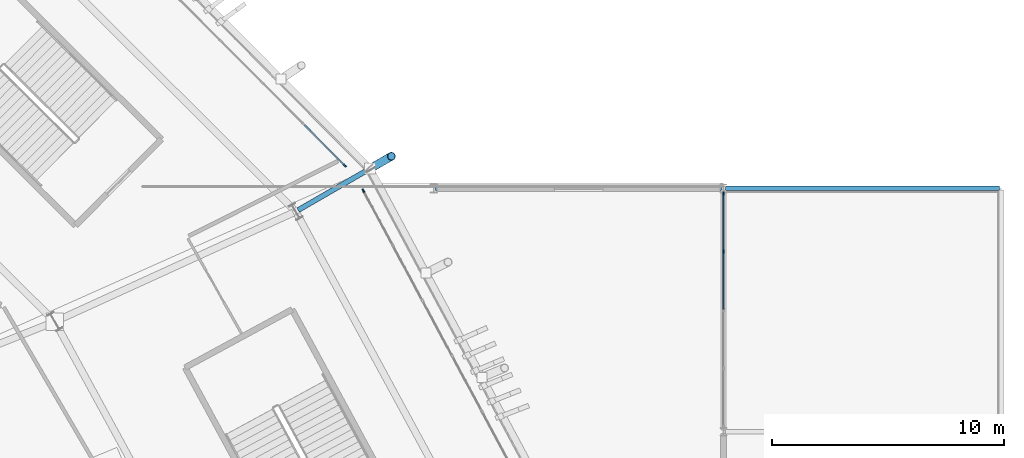
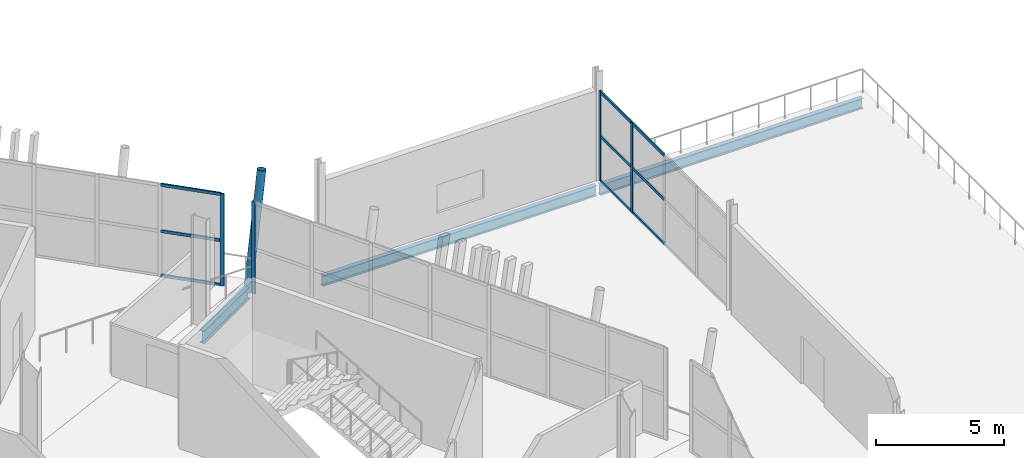
# One storey, part 63 of 168: 14 members, 3 beams, 3 elements without a shape of their own.
"""IFC4 building model written with IfcOpenShell, lengths in metres."""

from ifc_helpers import new_model, si_unit, direction, frame, origin, origin_2d, place, context, subcontext, project, spatial, rectangle, hollow_circle, i_section, extrude, material, material_profile, profile_set, type_object, element, aggregate, save


model = new_model("IFC4")

# Units and contexts
model_context = context("Model", 3, precision=1e-05, world=origin(), true_north=direction((0.0, 1.0)))
body_context = subcontext(model_context, "Body", "Model", "MODEL_VIEW")
ifc_project = project(units=[si_unit("LENGTHUNIT", "METRE"), si_unit("AREAUNIT", "SQUARE_METRE"), si_unit("VOLUMEUNIT", "CUBIC_METRE"), si_unit("PLANEANGLEUNIT", "RADIAN"), si_unit("MASSUNIT", "GRAM", prefix="KILO")], contexts=[model_context])

# Site, building, storey
site_placement = place(None, origin())
site = spatial("IfcSite", under=ifc_project, at=site_placement, CompositionType="ELEMENT")
building_placement = place(site_placement, origin())
building = spatial("IfcBuilding", under=site, at=building_placement, Name="Zlatoyarsky Gate Stadium", CompositionType="ELEMENT")
storey_placement = place(building_placement, frame((0.0, 0.0, 15.60009765625)))
storey = spatial("IfcBuildingStorey", under=building, at=storey_placement, Name="L03", CompositionType="ELEMENT", Elevation=15.60009765625)

# Curtain wall, member
ifc_material_1 = material(Name="Thermally broken anodised aluminium curtain wall", Category="aluminium")
curtain_wall_type_1 = type_object("IfcCurtainWallType", Name="UNITISED CORPORATE BOX GLAZING L03", PredefinedType="USERDEFINED", material=ifc_material_1)
curtain_wall_1_placement = place(storey_placement, origin())
curtain_wall_1 = element("IfcCurtainWall", 1, at=curtain_wall_1_placement, inside=storey, type_object=curtain_wall_type_1, Name="Curtain wall CW-L03-01", ObjectType="UNITISED GLAZING", PredefinedType="USERDEFINED")
ifc_material_2 = material(Name="Anodised aluminium 6063-T6", Category="aluminium")
ifc_material_profile_1 = material_profile(ifc_material_2, rectangle(XDim=0.06494140625, YDim=0.159912109375, at=origin_2d()), Name="ALU 65X160")
ifc_profile_set_1 = profile_set([ifc_material_profile_1], Name="Anodised aluminium 6063-T6")
member_type_1 = type_object("IfcMemberType", Name="ALUMINIUM MULLION 65X160", PredefinedType="MULLION", material=ifc_profile_set_1)
member_1_placement = place(storey_placement, frame((194.46337890625, 116.39990234375, 0.0), z_axis=(0.0, 0.0, 1.0), x_axis=(-0.880877202392, -0.473344857694, 0.0)))
member_1 = element("IfcMember", 2, at=member_1_placement, type_object=member_type_1, Name="CW-UG3 mullion 8", PredefinedType="MULLION", context=body_context, shape_type="SweptSolid", body=[
    extrude(rectangle(XDim=0.06494140625, YDim=0.159912109375, at=origin_2d()), origin(), (0.0, 0.0, 1.0), 4.3798828125),
])
aggregate(curtain_wall_1, [member_1])

curtain_wall_2_placement = place(storey_placement, origin())
curtain_wall_2 = element("IfcCurtainWall", 3, at=curtain_wall_2_placement, inside=storey, type_object=curtain_wall_type_1, Name="Curtain wall CW-L03-02", ObjectType="UNITISED GLAZING", PredefinedType="USERDEFINED")
member_2_placement = place(storey_placement, frame((193.65869140625, 117.48486328125, 0.0), z_axis=(0.0, 0.0, 1.0), x_axis=(-0.708721143054, -0.705488725202, 0.0)))
member_2 = element("IfcMember", 4, at=member_2_placement, type_object=member_type_1, Name="CW-UG3 mullion 1", PredefinedType="MULLION", context=body_context, shape_type="SweptSolid", body=[
    extrude(rectangle(XDim=0.06494140625, YDim=0.159912109375, at=origin_2d()), origin(), (0.0, 0.0, 1.0), 4.3798828125),
])

# Curtain wall, members
curtain_wall_type_2 = type_object("IfcCurtainWallType", Name="WINTER GARDEN CONSERVATORY GLAZING", PredefinedType="USERDEFINED", material=ifc_material_1)
curtain_wall_3_placement = place(storey_placement, origin())
curtain_wall_3 = element("IfcCurtainWall", 5, at=curtain_wall_3_placement, inside=storey, type_object=curtain_wall_type_2, Name="Curtain wall CW-V5_EAST-L03-187", ObjectType="UNITISED GLAZING", PredefinedType="USERDEFINED")
member_3_placement = place(storey_placement, frame((210.0, 113.779052734375, 0.0), z_axis=(0.0, 0.0, 1.0), x_axis=(-1.0, 0.0, 0.0)))
member_3 = element("IfcMember", 6, at=member_3_placement, type_object=member_type_1, Name="CW-WG1 mullion 4", PredefinedType="MULLION", context=body_context, shape_type="SweptSolid", body=[
    extrude(rectangle(XDim=0.06494140625, YDim=0.159912109375, at=origin_2d()), origin(), (0.0, 0.0, 1.0), 4.27978515625),
])
member_4_placement = place(storey_placement, frame((210.0, 116.275390625, 0.0), z_axis=(0.0, 0.0, 1.0), x_axis=(-1.0, 0.0, 0.0)))
member_4 = element("IfcMember", 7, at=member_4_placement, type_object=member_type_1, Name="CW-WG1 mullion 5", PredefinedType="MULLION", context=body_context, shape_type="SweptSolid", body=[
    extrude(rectangle(XDim=0.06494140625, YDim=0.159912109375, at=origin_2d()), origin(), (0.0, 0.0, 1.0), 4.27978515625),
])

# Member
ifc_material_profile_2 = material_profile(ifc_material_2, rectangle(XDim=0.06494140625, YDim=0.139892578125, at=origin_2d()), Name="ALU 65X140")
ifc_profile_set_2 = profile_set([ifc_material_profile_2], Name="Anodised aluminium 6063-T6")
member_type_2 = type_object("IfcMemberType", Name="ALUMINIUM TRANSOM 65X140", PredefinedType="USERDEFINED", material=ifc_profile_set_2)
member_5_placement = place(storey_placement, frame((193.6357421875, 117.5078125, 0.032470703125), z_axis=(-0.705456130135, 0.708753587967, 0.0), x_axis=(-0.708753587967, -0.705456130135, 0.0)))
member_5 = element("IfcMember", 8, at=member_5_placement, type_object=member_type_2, Name="CW-UG3 transom 1.1", ObjectType="TRANSOM", PredefinedType="USERDEFINED", context=body_context, shape_type="SweptSolid", body=[
    extrude(rectangle(XDim=0.06494140625, YDim=0.139892578125, at=origin_2d()), origin(), (0.0, 0.0, 1.0), 2.443359375),
])

member_6_placement = place(storey_placement, frame((193.6357421875, 117.5078125, 2.14990234375), z_axis=(-0.705456130135, 0.708753587967, 0.0), x_axis=(-0.708753587967, -0.705456130135, 0.0)))
member_6 = element("IfcMember", 9, at=member_6_placement, type_object=member_type_2, Name="CW-UG3 transom 1.2", ObjectType="TRANSOM", PredefinedType="USERDEFINED", context=body_context, shape_type="SweptSolid", body=[
    extrude(rectangle(XDim=0.06494140625, YDim=0.139892578125, at=origin_2d()), origin(), (0.0, 0.0, 1.0), 2.443359375),
])

member_7_placement = place(storey_placement, frame((193.6357421875, 117.5078125, 4.347412109375), z_axis=(-0.705456130135, 0.708753587967, 0.0), x_axis=(-0.708753587967, -0.705456130135, 0.0)))
member_7 = element("IfcMember", 10, at=member_7_placement, type_object=member_type_2, Name="CW-UG3 transom 1.3", ObjectType="TRANSOM", PredefinedType="USERDEFINED", context=body_context, shape_type="SweptSolid", body=[
    extrude(rectangle(XDim=0.06494140625, YDim=0.139892578125, at=origin_2d()), origin(), (0.0, 0.0, 1.0), 2.443359375),
])

aggregate(curtain_wall_2, [member_2, member_5, member_6, member_7])

member_8_placement = place(storey_placement, frame((210.0, 111.282470703125, 0.032470703125), z_axis=(0.0, 1.0, 0.0), x_axis=(-1.0, 0.0, 0.0)))
member_8 = element("IfcMember", 11, at=member_8_placement, type_object=member_type_2, Name="CW-WG1 transom 3.1", ObjectType="TRANSOM", PredefinedType="USERDEFINED", context=body_context, shape_type="SweptSolid", body=[
    extrude(rectangle(XDim=0.06494140625, YDim=0.139892578125, at=origin_2d()), origin(), (0.0, 0.0, 1.0), 2.464111328125),
])

member_9_placement = place(storey_placement, frame((210.0, 111.282470703125, 2.14990234375), z_axis=(0.0, 1.0, 0.0), x_axis=(-1.0, 0.0, 0.0)))
member_9 = element("IfcMember", 12, at=member_9_placement, type_object=member_type_2, Name="CW-WG1 transom 3.2", ObjectType="TRANSOM", PredefinedType="USERDEFINED", context=body_context, shape_type="SweptSolid", body=[
    extrude(rectangle(XDim=0.06494140625, YDim=0.139892578125, at=origin_2d()), origin(), (0.0, 0.0, 1.0), 2.464111328125),
])

member_10_placement = place(storey_placement, frame((210.0, 111.282470703125, 4.247314453125), z_axis=(0.0, 1.0, 0.0), x_axis=(-1.0, 0.0, 0.0)))
member_10 = element("IfcMember", 13, at=member_10_placement, type_object=member_type_2, Name="CW-WG1 transom 3.3", ObjectType="TRANSOM", PredefinedType="USERDEFINED", context=body_context, shape_type="SweptSolid", body=[
    extrude(rectangle(XDim=0.06494140625, YDim=0.139892578125, at=origin_2d()), origin(), (0.0, 0.0, 1.0), 2.464111328125),
])

member_11_placement = place(storey_placement, frame((210.0, 113.8115234375, 0.032470703125), z_axis=(0.0, 1.0, 0.0), x_axis=(-1.0, 0.0, 0.0)))
member_11 = element("IfcMember", 14, at=member_11_placement, type_object=member_type_2, Name="CW-WG1 transom 4.1", ObjectType="TRANSOM", PredefinedType="USERDEFINED", context=body_context, shape_type="SweptSolid", body=[
    extrude(rectangle(XDim=0.06494140625, YDim=0.139892578125, at=origin_2d()), origin(), (0.0, 0.0, 1.0), 2.431396484375),
])

member_12_placement = place(storey_placement, frame((210.0, 113.8115234375, 2.14990234375), z_axis=(0.0, 1.0, 0.0), x_axis=(-1.0, 0.0, 0.0)))
member_12 = element("IfcMember", 15, at=member_12_placement, type_object=member_type_2, Name="CW-WG1 transom 4.2", ObjectType="TRANSOM", PredefinedType="USERDEFINED", context=body_context, shape_type="SweptSolid", body=[
    extrude(rectangle(XDim=0.06494140625, YDim=0.139892578125, at=origin_2d()), origin(), (0.0, 0.0, 1.0), 2.431396484375),
])

member_13_placement = place(storey_placement, frame((210.0, 113.8115234375, 4.247314453125), z_axis=(0.0, 1.0, 0.0), x_axis=(-1.0, 0.0, 0.0)))
member_13 = element("IfcMember", 16, at=member_13_placement, type_object=member_type_2, Name="CW-WG1 transom 4.3", ObjectType="TRANSOM", PredefinedType="USERDEFINED", context=body_context, shape_type="SweptSolid", body=[
    extrude(rectangle(XDim=0.06494140625, YDim=0.139892578125, at=origin_2d()), origin(), (0.0, 0.0, 1.0), 2.431396484375),
])

aggregate(curtain_wall_3, [member_3, member_4, member_8, member_9, member_10, member_11, member_12, member_13])

# Beams
ifc_material_3 = material(Name="Steel S355", Category="steel")
ifc_material_profile_3 = material_profile(ifc_material_3, i_section(OverallWidth=0.219970703125, OverallDepth=0.60009765625, WebThickness=0.011962890625, FlangeThickness=0.01904296875, FilletRadius=0.02392578125, at=origin_2d()), Name="IPE 600")
ifc_profile_set_3 = profile_set([ifc_material_profile_3], Name="Steel S355")
beam_type_1 = type_object("IfcBeamType", Name="STEEL CANTILEVER FLOOR BEAM IPE 600", PredefinedType="BEAM", material=ifc_profile_set_3)
beam_1_placement = place(storey_placement, frame((191.644287109375, 115.56005859375, -0.580078125), z_axis=(0.866036909293, 0.499980071345, 0.0), x_axis=(-0.499980071345, 0.866036909293, 0.0)))
element("IfcBeam", 17, at=beam_1_placement, inside=storey, type_object=beam_type_1, Name="Beam B-IPE600 BM-L03-OUT-02", PredefinedType="BEAM", context=body_context, shape_type="SweptSolid", body=[
    extrude(i_section(OverallWidth=0.219970703125, OverallDepth=0.60009765625, WebThickness=0.011962890625, FlangeThickness=0.01904296875, FilletRadius=0.02392578125, at=origin_2d()), origin(), (0.0, 0.0, 1.0), 3.582275390625),
])
ifc_material_profile_4 = material_profile(ifc_material_3, i_section(OverallWidth=0.199951171875, OverallDepth=0.5, WebThickness=0.01025390625, FlangeThickness=0.01611328125, FilletRadius=0.02099609375, at=origin_2d()), Name="IPE 500")
ifc_profile_set_4 = profile_set([ifc_material_profile_4], Name="Steel S355")
beam_type_2 = type_object("IfcBeamType", Name="STEEL FLOOR BEAM IPE 500", PredefinedType="BEAM", material=ifc_profile_set_4)
beam_2_placement = place(storey_placement, frame((197.580078125, 116.5, -0.530029296875), z_axis=(1.0, 0.0, 0.0), x_axis=(0.0, 1.0, 0.0)))
element("IfcBeam", 18, at=beam_2_placement, inside=storey, type_object=beam_type_2, Name="Beam B-IPE500 BM-L03-WGX-17-L", PredefinedType="BEAM", context=body_context, shape_type="SweptSolid", body=[
    extrude(i_section(OverallWidth=0.199951171875, OverallDepth=0.5, WebThickness=0.01025390625, FlangeThickness=0.01611328125, FilletRadius=0.02099609375, at=origin_2d()), origin(), (0.0, 0.0, 1.0), 12.33984375),
])
beam_3_placement = place(storey_placement, frame((210.080078125, 116.5, -0.570068359375), z_axis=(1.0, 0.0, 0.0), x_axis=(0.0, 1.0, 0.0)))
element("IfcBeam", 19, at=beam_3_placement, inside=storey, type_object=beam_type_2, Name="Beam B-IPE500 BM-L03-WGX-18-L", PredefinedType="BEAM", context=body_context, shape_type="SweptSolid", body=[
    extrude(i_section(OverallWidth=0.199951171875, OverallDepth=0.5, WebThickness=0.01025390625, FlangeThickness=0.01611328125, FilletRadius=0.02099609375, at=origin_2d()), origin(), (0.0, 0.0, 1.0), 11.83984375),
])

# Member
ifc_material_profile_5 = material_profile(ifc_material_3, hollow_circle(Radius=0.177734375, WallThickness=0.02001953125, at=origin_2d()), Name="CHS 355.6X20")
ifc_profile_set_5 = profile_set([ifc_material_profile_5], Name="Steel S355")
member_type_3 = type_object("IfcMemberType", Name="STEEL LEANING RIB RING STRUT CHS 355.6X20", PredefinedType="STRUT", material=ifc_profile_set_5)
member_14_placement = place(storey_placement, frame((194.74658203125, 117.35107421875, -0.580078125), z_axis=(0.174770288575, 0.100910684317, 0.979424514714), x_axis=(-0.500026055714, 0.866010359988, 0.0)))
element("IfcMember", 20, at=member_14_placement, inside=storey, type_object=member_type_3, Name="Leaning ring strut 02 L03 to L04", PredefinedType="STRUT", context=body_context, shape_type="SweptSolid", body=[
    extrude(hollow_circle(Radius=0.177734375, WallThickness=0.02001953125, at=origin_2d()), origin(), (0.0, 0.0, 1.0), 5.288818359375),
])

save(model, "model.ifc")
